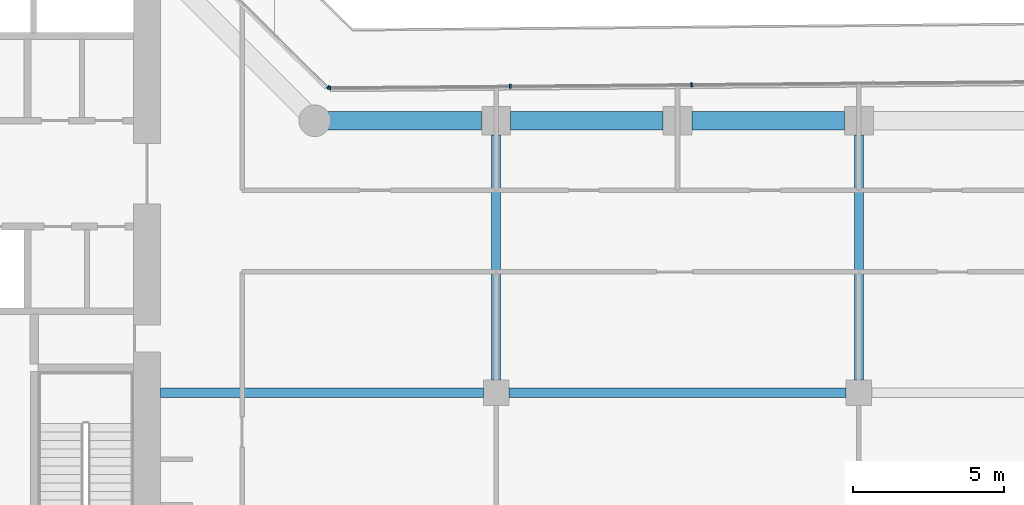
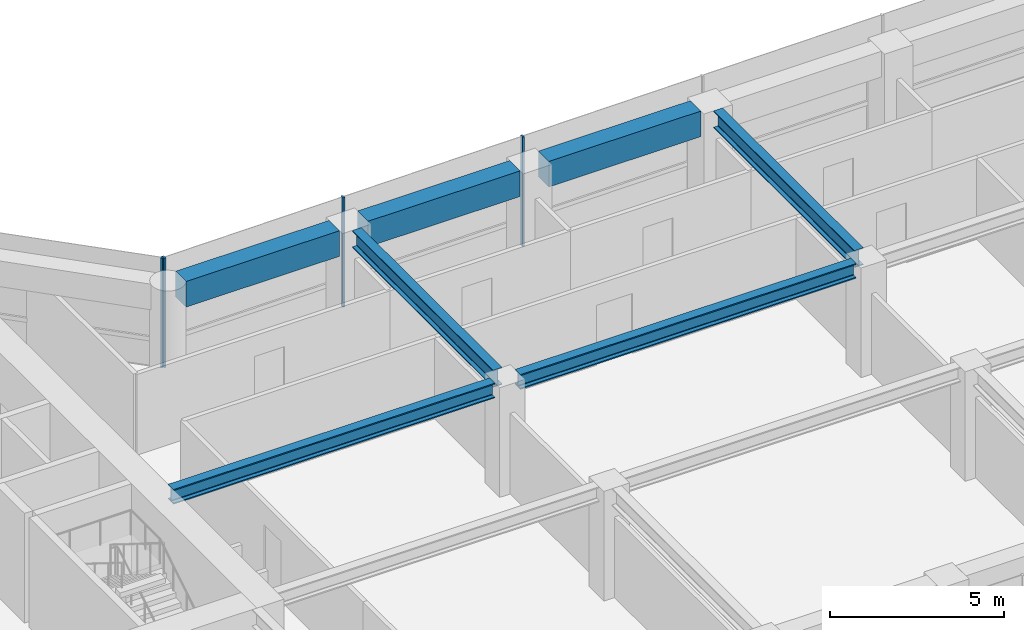
# One storey, part 9 of 28: 7 beams, 4 members, 2 elements without a shape of their own.
"""IFC4 building model written with IfcOpenShell, lengths in metres."""

from ifc_helpers import new_model, si_unit, direction, frame, origin, origin_2d, place, context, subcontext, project, spatial, rectangle, i_section, extrude, material, layer, layer_set, material_profile, profile_set, type_object, element, aggregate, save


model = new_model("IFC4")

# Units and contexts
model_context = context("Model", 3, precision=1e-05, world=origin(), true_north=direction((0.0, 1.0)))
body_context = subcontext(model_context, "Body", "Model", "MODEL_VIEW")
ifc_project = project(units=[si_unit("LENGTHUNIT", "METRE"), si_unit("AREAUNIT", "SQUARE_METRE"), si_unit("VOLUMEUNIT", "CUBIC_METRE"), si_unit("PLANEANGLEUNIT", "RADIAN"), si_unit("MASSUNIT", "GRAM", prefix="KILO")], contexts=[model_context])

# Site, building, storey
site_placement = place(None, origin())
site = spatial("IfcSite", under=ifc_project, at=site_placement, CompositionType="ELEMENT")
building_placement = place(site_placement, origin())
building = spatial("IfcBuilding", under=site, at=building_placement, Name="Welwitschia Terrace Campus", CompositionType="ELEMENT")
storey_placement = place(building_placement, frame((0.0, 0.0, 54.199951171875)))
storey = spatial("IfcBuildingStorey", under=building, at=storey_placement, Name="L12", CompositionType="ELEMENT", Elevation=54.199951171875)

# Beams
ifc_material_1 = material(Name="Steel S355", Category="steel")
ifc_material_profile_1 = material_profile(ifc_material_1, i_section(OverallWidth=0.305908203125, OverallDepth=0.52392578125, WebThickness=0.02099609375, FlangeThickness=0.0400390625, FilletRadius=0.027099609375, at=origin_2d()))
ifc_profile_set_1 = profile_set([ifc_material_profile_1], Name="Steel S355")
beam_type_1 = type_object("IfcBeamType", Name="Interior girder HE 500 M", PredefinedType="BEAM", material=ifc_profile_set_1)
beam_1_placement = place(storey_placement, frame((24.90087890625, 11.0, 3.588134765625), z_axis=(1.0, 0.0, 0.0), x_axis=(0.0, 1.0, 0.0)))
element("IfcBeam", 1, at=beam_1_placement, inside=storey, type_object=beam_type_1, Name="Girder GB2", PredefinedType="BEAM", context=body_context, shape_type="SweptSolid", body=[
    extrude(i_section(OverallWidth=0.305908203125, OverallDepth=0.52392578125, WebThickness=0.02099609375, FlangeThickness=0.0400390625, FilletRadius=0.027099609375, at=origin_2d()), origin(), (0.0, 0.0, 1.0), 10.673583984375),
])
beam_2_placement = place(storey_placement, frame((36.425537109375, 11.0, 3.588134765625), z_axis=(1.0, 0.0, 0.0), x_axis=(0.0, 1.0, 0.0)))
element("IfcBeam", 2, at=beam_2_placement, inside=storey, type_object=beam_type_1, Name="Girder GB2", PredefinedType="BEAM", context=body_context, shape_type="SweptSolid", body=[
    extrude(i_section(OverallWidth=0.305908203125, OverallDepth=0.52392578125, WebThickness=0.02099609375, FlangeThickness=0.0400390625, FilletRadius=0.027099609375, at=origin_2d()), origin(), (0.0, 0.0, 1.0), 11.14892578125),
])

# Curtain wall, members
ifc_material_2 = material(Name="Bronze anodised aluminium", Category="aluminium")
ifc_layer = layer(ifc_material_2, 0.1201171875)
ifc_layer_set = layer_set([ifc_layer], Name="Bronze anodised aluminium")
curtain_wall_type = type_object("IfcCurtainWallType", Name="Curtain wall CW2 tower 6000", PredefinedType="NOTDEFINED", material=ifc_layer_set)
curtain_wall_1_placement = place(storey_placement, origin())
curtain_wall_1 = element("IfcCurtainWall", 3, at=curtain_wall_1_placement, inside=storey, type_object=curtain_wall_type, Name="CW L12.8.0", PredefinedType="NOTDEFINED")
ifc_material_3 = material(Name="Bronze anodised aluminium", Category="aluminium")
ifc_material_profile_2 = material_profile(ifc_material_3, rectangle(XDim=0.1201171875, YDim=0.06005859375, at=origin_2d()))
ifc_profile_set_2 = profile_set([ifc_material_profile_2], Name="Bronze anodised aluminium")
member_type = type_object("IfcMemberType", Name="Mullion 60x120", PredefinedType="MULLION", material=ifc_profile_set_2)
member_1_placement = place(storey_placement, frame((42.4658203125, 21.1904296875, 0.0), z_axis=(0.0, 0.0, 1.0), x_axis=(0.008726535498, -0.999961923064, 0.0)))
member_1 = element("IfcMember", 4, at=member_1_placement, type_object=member_type, Name="Mullion L12.8.0.3", PredefinedType="MULLION", context=body_context, shape_type="SweptSolid", body=[
    extrude(rectangle(XDim=0.1201171875, YDim=0.06005859375, at=origin_2d()), origin(), (0.0, 0.0, 1.0), 3.85009765625),
])
member_2_placement = place(storey_placement, frame((36.466064453125, 21.13818359375, 0.0), z_axis=(0.0, 0.0, 1.0), x_axis=(0.008726535498, -0.999961923064, 0.0)))
member_2 = element("IfcMember", 5, at=member_2_placement, type_object=member_type, Name="Mullion L12.8.0.4", PredefinedType="MULLION", context=body_context, shape_type="SweptSolid", body=[
    extrude(rectangle(XDim=0.1201171875, YDim=0.06005859375, at=origin_2d()), origin(), (0.0, 0.0, 1.0), 3.85009765625),
])
member_3_placement = place(storey_placement, frame((30.496337890625, 21.0859375, 0.0), z_axis=(0.0, 0.0, 1.0), x_axis=(0.008726535498, -0.999961923064, 0.0)))
member_3 = element("IfcMember", 6, at=member_3_placement, type_object=member_type, Name="Mullion L12.8.0.5", PredefinedType="MULLION", context=body_context, shape_type="SweptSolid", body=[
    extrude(rectangle(XDim=0.1201171875, YDim=0.06005859375, at=origin_2d()), origin(), (0.0, 0.0, 1.0), 3.85009765625),
])
aggregate(curtain_wall_1, [member_1, member_2, member_3])

# Curtain wall, member
curtain_wall_2_placement = place(storey_placement, origin())
curtain_wall_2 = element("IfcCurtainWall", 7, at=curtain_wall_2_placement, inside=storey, type_object=curtain_wall_type, Name="CW L12.9.0", PredefinedType="NOTDEFINED")
member_4_placement = place(storey_placement, frame((30.445068359375, 21.10693359375, 0.0), z_axis=(0.0, 0.0, 1.0), x_axis=(-0.70343270975, -0.710761860861, 0.0)))
member_4 = element("IfcMember", 8, at=member_4_placement, type_object=member_type, Name="Mullion L12.9.0.0", PredefinedType="MULLION", context=body_context, shape_type="SweptSolid", body=[
    extrude(rectangle(XDim=0.1201171875, YDim=0.06005859375, at=origin_2d()), origin(), (0.0, 0.0, 1.0), 3.85009765625),
])
aggregate(curtain_wall_2, [member_4])

# Beams
ifc_material_4 = material(Name="Steel S355", Category="steel")
ifc_material_profile_3 = material_profile(ifc_material_4, i_section(OverallWidth=0.300048828125, OverallDepth=0.60009765625, WebThickness=0.015380859375, FlangeThickness=0.030029296875, FilletRadius=0.027099609375, at=origin_2d()))
ifc_profile_set_3 = profile_set([ifc_material_profile_3], Name="Steel S355")
beam_type_2 = type_object("IfcBeamType", Name="Primary beam HE 600 B", PredefinedType="BEAM", material=ifc_profile_set_3)
for number, where, z_axis, x_axis, name in (
    (9, (48.0, 19.5244140625, 3.550048828125), (0.0, -1.0, 0.0), (1.0, 0.0, 0.0), "Primary beam PB2"),
    (10, (36.0, 19.5244140625, 3.550048828125), (0.0, -1.0, 0.0), (1.0, 0.0, 0.0), "Primary beam PB2"),
):
    element("IfcBeam", number, at=place(storey_placement, frame(where, z_axis=z_axis, x_axis=x_axis)), inside=storey, type_object=beam_type_2, Name=name, PredefinedType="BEAM", context=body_context, shape_type="SweptSolid", body=[
        extrude(i_section(OverallWidth=0.300048828125, OverallDepth=0.60009765625, WebThickness=0.015380859375, FlangeThickness=0.030029296875, FilletRadius=0.027099609375, at=origin_2d()), origin(), (0.0, 0.0, 1.0), 8.098876953125),
    ])
ifc_material_5 = material(Name="Concrete C60/75", Category="concrete")
ifc_material_profile_4 = material_profile(ifc_material_5, rectangle(XDim=0.60009765625, YDim=0.89990234375, at=origin_2d()))
ifc_profile_set_4 = profile_set([ifc_material_profile_4], Name="Concrete C60/75")
beam_type_3 = type_object("IfcBeamType", Name="Ring spandrel 600x900", PredefinedType="SPANDREL", material=ifc_profile_set_4)
for number, where, z_axis, x_axis, name in (
    (11, (47.5244140625, 20.0, 3.400146484375), (-1.0, 0.0, 0.0), (0.0, -1.0, 0.0), "Spandrel SP2"),
    (12, (41.5244140625, 20.0, 3.400146484375), (-1.0, 0.0, 0.0), (0.0, -1.0, 0.0), "Spandrel SP2"),
):
    element("IfcBeam", number, at=place(storey_placement, frame(where, z_axis=z_axis, x_axis=x_axis)), inside=storey, type_object=beam_type_3, Name=name, PredefinedType="SPANDREL", context=body_context, shape_type="SweptSolid", body=[
        extrude(rectangle(XDim=0.60009765625, YDim=0.89990234375, at=origin_2d()), origin(), (0.0, 0.0, 1.0), 5.048828125),
    ])
beam_3_placement = place(storey_placement, frame((35.5244140625, 20.0, 3.400146484375), z_axis=(-1.0, 0.0, 0.0), x_axis=(0.0, -1.0, 0.0)))
element("IfcBeam", 13, at=beam_3_placement, inside=storey, type_object=beam_type_3, Name="Spandrel SP2", PredefinedType="SPANDREL", context=body_context, shape_type="SweptSolid", body=[
    extrude(rectangle(XDim=0.60009765625, YDim=0.89990234375, at=origin_2d()), origin(), (0.0, 0.0, 1.0), 5.093017578125),
])

save(model, "model.ifc")
